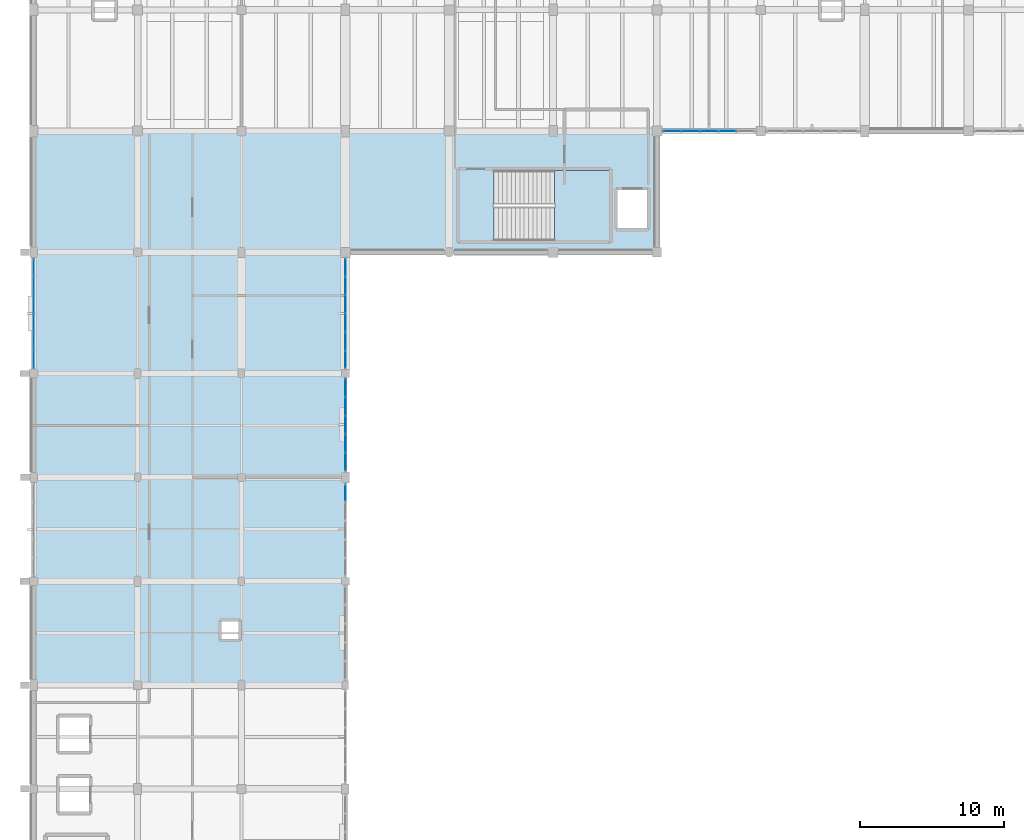
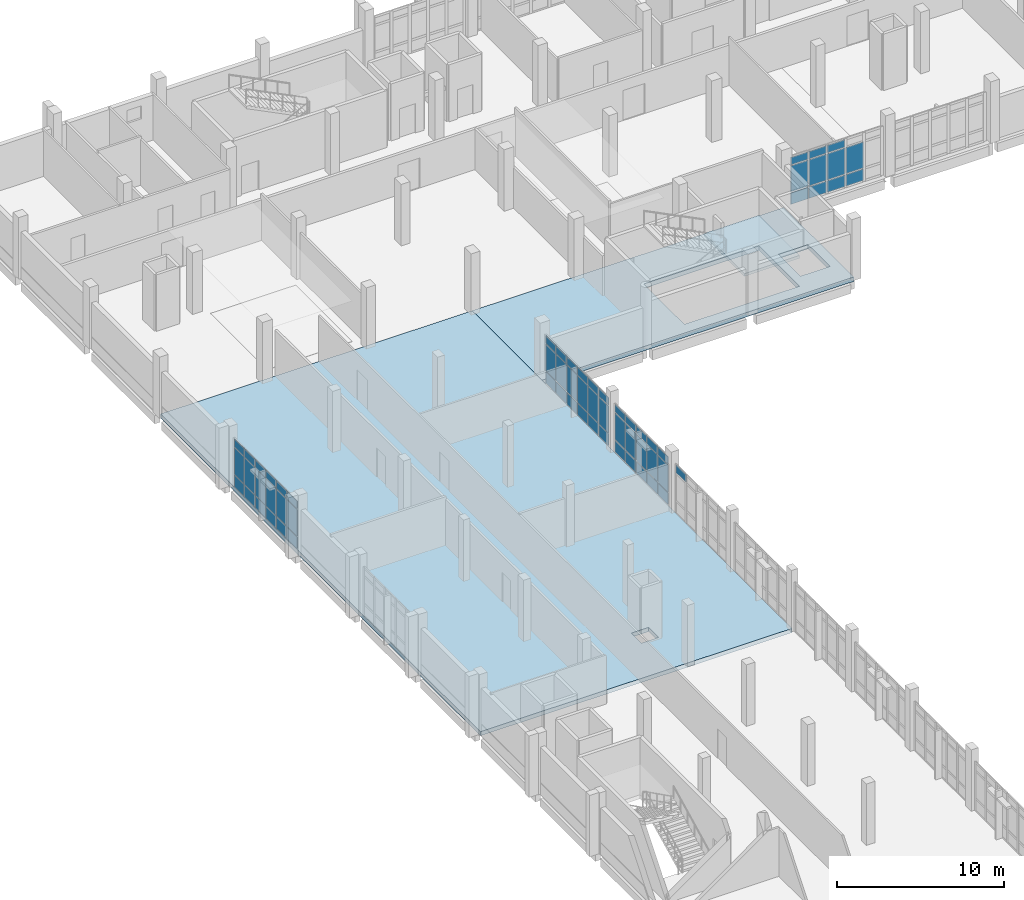
# One storey, part 42 of 57: 63 plates, 3 slabs, 6 elements without a shape of their own.
"""IFC4 building model written with IfcOpenShell, lengths in metres."""

from ifc_helpers import new_model, si_unit, direction, frame, origin, origin_2d, place, context, subcontext, project, spatial, polyline, rectangle, outline, extrude, material, layer, layer_set, type_object, element, aggregate, save


model = new_model("IFC4")

# Units and contexts
model_context = context("Model", 3, precision=1e-05, world=origin(), true_north=direction((0.0, 1.0)))
body_context = subcontext(model_context, "Body", "Model", "MODEL_VIEW")
ifc_project = project(units=[si_unit("LENGTHUNIT", "METRE"), si_unit("AREAUNIT", "SQUARE_METRE"), si_unit("VOLUMEUNIT", "CUBIC_METRE"), si_unit("PLANEANGLEUNIT", "RADIAN"), si_unit("MASSUNIT", "GRAM", prefix="KILO")], contexts=[model_context])

# Site, building, storey
site_placement = place(None, origin())
site = spatial("IfcSite", under=ifc_project, at=site_placement, CompositionType="ELEMENT")
building_placement = place(site_placement, origin())
building = spatial("IfcBuilding", under=site, at=building_placement, Name="Kalluvel Institute of Natural Sciences", CompositionType="ELEMENT")
storey_placement = place(building_placement, frame((0.0, 0.0, 23.39990234375)))
storey = spatial("IfcBuildingStorey", under=building, at=storey_placement, Name="L05", CompositionType="ELEMENT", Elevation=23.39990234375)

# Curtain wall, plates
ifc_material_1 = material(Name="Aluminium AW-6063 T6", Category="aluminium")
curtain_wall_type_1 = type_object("IfcCurtainWallType", Name="CW-DRY-45", PredefinedType="USERDEFINED", material=ifc_material_1)
curtain_wall_1_placement = place(storey_placement, origin())
curtain_wall_1 = element("IfcCurtainWall", 1, at=curtain_wall_1_placement, inside=storey, type_object=curtain_wall_type_1, Name="L05 Gothic lancet curtain wall CWA-L05-X140-Y864", ObjectType="UNITISED LANCET FACADE", PredefinedType="USERDEFINED")
ifc_material_2 = material(Name="Solar-Control Low-E Laminated Glass", Category="glass")
ifc_layer_1 = layer(ifc_material_2, 0.031982421875)
ifc_layer_set_1 = layer_set([ifc_layer_1], Name="Solar-Control Low-E Laminated Glass")
plate_type_1 = type_object("IfcPlateType", Name="CWP-DGU-32", PredefinedType="CURTAIN_PANEL", material=ifc_layer_set_1)
plate_1_placement = place(storey_placement, frame((14.0, 87.001708984375, 0.065185546875), z_axis=(0.0, 0.0, 1.0), x_axis=(0.0, 1.0, 0.0)))
plate_1 = element("IfcPlate", 2, at=plate_1_placement, type_object=plate_type_1, Name="CW-03 panel 1.1", PredefinedType="CURTAIN_PANEL", context=body_context, shape_type="SweptSolid", body=[
    extrude(rectangle(XDim=1.17333984375, YDim=0.031982421875, at=origin_2d()), origin(), (0.0, 0.0, 1.0), 0.8525390625),
])
plate_2_placement = place(storey_placement, frame((14.0, 87.001708984375, 0.982666015625), z_axis=(0.0, 0.0, 1.0), x_axis=(0.0, 1.0, 0.0)))
plate_2 = element("IfcPlate", 3, at=plate_2_placement, type_object=plate_type_1, Name="CW-03 panel 1.2", PredefinedType="CURTAIN_PANEL", context=body_context, shape_type="SweptSolid", body=[
    extrude(rectangle(XDim=1.17333984375, YDim=0.031982421875, at=origin_2d()), origin(), (0.0, 0.0, 1.0), 1.955078125),
])
plate_3_placement = place(storey_placement, frame((14.0, 87.001708984375, 3.00244140625), z_axis=(0.0, 0.0, 1.0), x_axis=(0.0, 1.0, 0.0)))
plate_3 = element("IfcPlate", 4, at=plate_3_placement, type_object=plate_type_1, Name="CW-03 panel 1.3", PredefinedType="CURTAIN_PANEL", context=body_context, shape_type="SweptSolid", body=[
    extrude(rectangle(XDim=1.17333984375, YDim=0.031982421875, at=origin_2d()), origin(), (0.0, 0.0, 1.0), 0.552490234375),
])
plate_4_placement = place(storey_placement, frame((14.0, 88.25634765625, 0.065185546875), z_axis=(0.0, 0.0, 1.0), x_axis=(0.0, 1.0, 0.0)))
plate_4 = element("IfcPlate", 5, at=plate_4_placement, type_object=plate_type_1, Name="CW-03 panel 2.1", PredefinedType="CURTAIN_PANEL", context=body_context, shape_type="SweptSolid", body=[
    extrude(rectangle(XDim=1.205810546875, YDim=0.031982421875, at=origin_2d()), origin(), (0.0, 0.0, 1.0), 0.8525390625),
])
plate_5_placement = place(storey_placement, frame((14.0, 88.25634765625, 0.982666015625), z_axis=(0.0, 0.0, 1.0), x_axis=(0.0, 1.0, 0.0)))
plate_5 = element("IfcPlate", 6, at=plate_5_placement, type_object=plate_type_1, Name="CW-03 panel 2.2", PredefinedType="CURTAIN_PANEL", context=body_context, shape_type="SweptSolid", body=[
    extrude(rectangle(XDim=1.205810546875, YDim=0.031982421875, at=origin_2d()), origin(), (0.0, 0.0, 1.0), 1.955078125),
])
plate_6_placement = place(storey_placement, frame((14.0, 88.25634765625, 3.00244140625), z_axis=(0.0, 0.0, 1.0), x_axis=(0.0, 1.0, 0.0)))
plate_6 = element("IfcPlate", 7, at=plate_6_placement, type_object=plate_type_1, Name="CW-03 panel 2.3", PredefinedType="CURTAIN_PANEL", context=body_context, shape_type="SweptSolid", body=[
    extrude(rectangle(XDim=1.205810546875, YDim=0.031982421875, at=origin_2d()), origin(), (0.0, 0.0, 1.0), 0.552490234375),
])
plate_7_placement = place(storey_placement, frame((14.0, 89.527099609375, 0.065185546875), z_axis=(0.0, 0.0, 1.0), x_axis=(0.0, 1.0, 0.0)))
plate_7 = element("IfcPlate", 8, at=plate_7_placement, type_object=plate_type_1, Name="CW-03 panel 3.1", PredefinedType="CURTAIN_PANEL", context=body_context, shape_type="SweptSolid", body=[
    extrude(rectangle(XDim=1.205810546875, YDim=0.031982421875, at=origin_2d()), origin(), (0.0, 0.0, 1.0), 0.8525390625),
])
plate_8_placement = place(storey_placement, frame((14.0, 89.527099609375, 0.982666015625), z_axis=(0.0, 0.0, 1.0), x_axis=(0.0, 1.0, 0.0)))
plate_8 = element("IfcPlate", 9, at=plate_8_placement, type_object=plate_type_1, Name="CW-03 panel 3.2", PredefinedType="CURTAIN_PANEL", context=body_context, shape_type="SweptSolid", body=[
    extrude(rectangle(XDim=1.205810546875, YDim=0.031982421875, at=origin_2d()), origin(), (0.0, 0.0, 1.0), 1.955078125),
])
plate_9_placement = place(storey_placement, frame((14.0, 89.527099609375, 3.00244140625), z_axis=(0.0, 0.0, 1.0), x_axis=(0.0, 1.0, 0.0)))
plate_9 = element("IfcPlate", 10, at=plate_9_placement, type_object=plate_type_1, Name="CW-03 panel 3.3", PredefinedType="CURTAIN_PANEL", context=body_context, shape_type="SweptSolid", body=[
    extrude(rectangle(XDim=1.205810546875, YDim=0.031982421875, at=origin_2d()), origin(), (0.0, 0.0, 1.0), 0.552490234375),
])
plate_10_placement = place(storey_placement, frame((14.0, 90.7978515625, 0.065185546875), z_axis=(0.0, 0.0, 1.0), x_axis=(0.0, 1.0, 0.0)))
plate_10 = element("IfcPlate", 11, at=plate_10_placement, type_object=plate_type_1, Name="CW-03 panel 4.1", PredefinedType="CURTAIN_PANEL", context=body_context, shape_type="SweptSolid", body=[
    extrude(rectangle(XDim=1.205810546875, YDim=0.031982421875, at=origin_2d()), origin(), (0.0, 0.0, 1.0), 0.8525390625),
])
plate_11_placement = place(storey_placement, frame((14.0, 90.7978515625, 0.982666015625), z_axis=(0.0, 0.0, 1.0), x_axis=(0.0, 1.0, 0.0)))
plate_11 = element("IfcPlate", 12, at=plate_11_placement, type_object=plate_type_1, Name="CW-03 panel 4.2", PredefinedType="CURTAIN_PANEL", context=body_context, shape_type="SweptSolid", body=[
    extrude(rectangle(XDim=1.205810546875, YDim=0.031982421875, at=origin_2d()), origin(), (0.0, 0.0, 1.0), 1.955078125),
])
plate_12_placement = place(storey_placement, frame((14.0, 90.7978515625, 3.00244140625), z_axis=(0.0, 0.0, 1.0), x_axis=(0.0, 1.0, 0.0)))
plate_12 = element("IfcPlate", 13, at=plate_12_placement, type_object=plate_type_1, Name="CW-03 panel 4.3", PredefinedType="CURTAIN_PANEL", context=body_context, shape_type="SweptSolid", body=[
    extrude(rectangle(XDim=1.205810546875, YDim=0.031982421875, at=origin_2d()), origin(), (0.0, 0.0, 1.0), 0.552490234375),
])
plate_13_placement = place(storey_placement, frame((14.0, 92.06884765625, 0.065185546875), z_axis=(0.0, 0.0, 1.0), x_axis=(0.0, 1.0, 0.0)))
plate_13 = element("IfcPlate", 14, at=plate_13_placement, type_object=plate_type_1, Name="CW-03 panel 5.1", PredefinedType="CURTAIN_PANEL", context=body_context, shape_type="SweptSolid", body=[
    extrude(rectangle(XDim=1.205810546875, YDim=0.031982421875, at=origin_2d()), origin(), (0.0, 0.0, 1.0), 0.8525390625),
])
plate_14_placement = place(storey_placement, frame((14.0, 92.06884765625, 0.982666015625), z_axis=(0.0, 0.0, 1.0), x_axis=(0.0, 1.0, 0.0)))
plate_14 = element("IfcPlate", 15, at=plate_14_placement, type_object=plate_type_1, Name="CW-03 panel 5.2", PredefinedType="CURTAIN_PANEL", context=body_context, shape_type="SweptSolid", body=[
    extrude(rectangle(XDim=1.205810546875, YDim=0.031982421875, at=origin_2d()), origin(), (0.0, 0.0, 1.0), 1.955078125),
])
plate_15_placement = place(storey_placement, frame((14.0, 92.06884765625, 3.00244140625), z_axis=(0.0, 0.0, 1.0), x_axis=(0.0, 1.0, 0.0)))
plate_15 = element("IfcPlate", 16, at=plate_15_placement, type_object=plate_type_1, Name="CW-03 panel 5.3", PredefinedType="CURTAIN_PANEL", context=body_context, shape_type="SweptSolid", body=[
    extrude(rectangle(XDim=1.205810546875, YDim=0.031982421875, at=origin_2d()), origin(), (0.0, 0.0, 1.0), 0.552490234375),
])
plate_16_placement = place(storey_placement, frame((14.0, 93.3232421875, 0.065185546875), z_axis=(0.0, 0.0, 1.0), x_axis=(0.0, 1.0, 0.0)))
plate_16 = element("IfcPlate", 17, at=plate_16_placement, type_object=plate_type_1, Name="CW-03 panel 6.1", PredefinedType="CURTAIN_PANEL", context=body_context, shape_type="SweptSolid", body=[
    extrude(rectangle(XDim=1.17333984375, YDim=0.031982421875, at=origin_2d()), origin(), (0.0, 0.0, 1.0), 0.8525390625),
])
plate_17_placement = place(storey_placement, frame((14.0, 93.3232421875, 0.982666015625), z_axis=(0.0, 0.0, 1.0), x_axis=(0.0, 1.0, 0.0)))
plate_17 = element("IfcPlate", 18, at=plate_17_placement, type_object=plate_type_1, Name="CW-03 panel 6.2", PredefinedType="CURTAIN_PANEL", context=body_context, shape_type="SweptSolid", body=[
    extrude(rectangle(XDim=1.17333984375, YDim=0.031982421875, at=origin_2d()), origin(), (0.0, 0.0, 1.0), 1.955078125),
])
plate_18_placement = place(storey_placement, frame((14.0, 93.3232421875, 3.00244140625), z_axis=(0.0, 0.0, 1.0), x_axis=(0.0, 1.0, 0.0)))
plate_18 = element("IfcPlate", 19, at=plate_18_placement, type_object=plate_type_1, Name="CW-03 panel 6.3", PredefinedType="CURTAIN_PANEL", context=body_context, shape_type="SweptSolid", body=[
    extrude(rectangle(XDim=1.17333984375, YDim=0.031982421875, at=origin_2d()), origin(), (0.0, 0.0, 1.0), 0.552490234375),
])
aggregate(curtain_wall_1, [plate_1, plate_2, plate_3, plate_4, plate_5, plate_6, plate_7, plate_8, plate_9, plate_10, plate_11, plate_12, plate_13, plate_14, plate_15, plate_16, plate_17, plate_18])

# Curtain wall, plate
curtain_wall_2_placement = place(storey_placement, origin())
curtain_wall_2 = element("IfcCurtainWall", 20, at=curtain_wall_2_placement, inside=storey, type_object=curtain_wall_type_1, Name="L05 Gothic lancet curtain wall CWA-L05-X356-Y719", ObjectType="UNITISED LANCET FACADE", PredefinedType="USERDEFINED")
plate_19_placement = place(storey_placement, frame((35.60009765625, 77.7138671875, 3.00244140625), z_axis=(0.0, 0.0, 1.0), x_axis=(0.0, 1.0, 0.0)))
plate_19 = element("IfcPlate", 21, at=plate_19_placement, type_object=plate_type_1, Name="CW-03 panel 5.3", PredefinedType="CURTAIN_PANEL", context=body_context, shape_type="SweptSolid", body=[
    extrude(rectangle(XDim=1.1923828125, YDim=0.031982421875, at=origin_2d()), origin(), (0.0, 0.0, 1.0), 0.552490234375),
])
aggregate(curtain_wall_2, [plate_19])

# Curtain wall, plates
curtain_wall_3_placement = place(storey_placement, origin())
curtain_wall_3 = element("IfcCurtainWall", 22, at=curtain_wall_3_placement, inside=storey, type_object=curtain_wall_type_1, Name="L05 Gothic lancet curtain wall CWA-L05-X356-Y792", ObjectType="UNITISED LANCET FACADE", PredefinedType="USERDEFINED")
plate_20_placement = place(storey_placement, frame((35.60009765625, 79.88623046875, 0.065185546875), z_axis=(0.0, 0.0, 1.0), x_axis=(0.0, 1.0, 0.0)))
plate_20 = element("IfcPlate", 23, at=plate_20_placement, type_object=plate_type_1, Name="CW-03 panel 1.1", PredefinedType="CURTAIN_PANEL", context=body_context, shape_type="SweptSolid", body=[
    extrude(rectangle(XDim=1.1923828125, YDim=0.031982421875, at=origin_2d()), origin(), (0.0, 0.0, 1.0), 0.8525390625),
])
plate_21_placement = place(storey_placement, frame((35.60009765625, 79.88623046875, 0.982666015625), z_axis=(0.0, 0.0, 1.0), x_axis=(0.0, 1.0, 0.0)))
plate_21 = element("IfcPlate", 24, at=plate_21_placement, type_object=plate_type_1, Name="CW-03 panel 1.2", PredefinedType="CURTAIN_PANEL", context=body_context, shape_type="SweptSolid", body=[
    extrude(rectangle(XDim=1.1923828125, YDim=0.031982421875, at=origin_2d()), origin(), (0.0, 0.0, 1.0), 1.955078125),
])
plate_22_placement = place(storey_placement, frame((35.60009765625, 79.88623046875, 3.00244140625), z_axis=(0.0, 0.0, 1.0), x_axis=(0.0, 1.0, 0.0)))
plate_22 = element("IfcPlate", 25, at=plate_22_placement, type_object=plate_type_1, Name="CW-03 panel 1.3", PredefinedType="CURTAIN_PANEL", context=body_context, shape_type="SweptSolid", body=[
    extrude(rectangle(XDim=1.1923828125, YDim=0.031982421875, at=origin_2d()), origin(), (0.0, 0.0, 1.0), 0.552490234375),
])
plate_23_placement = place(storey_placement, frame((35.60009765625, 81.159912109375, 0.065185546875), z_axis=(0.0, 0.0, 1.0), x_axis=(0.0, 1.0, 0.0)))
plate_23 = element("IfcPlate", 26, at=plate_23_placement, type_object=plate_type_1, Name="CW-03 panel 2.1", PredefinedType="CURTAIN_PANEL", context=body_context, shape_type="SweptSolid", body=[
    extrude(rectangle(XDim=1.22509765625, YDim=0.031982421875, at=origin_2d()), origin(), (0.0, 0.0, 1.0), 0.8525390625),
])
plate_24_placement = place(storey_placement, frame((35.60009765625, 81.159912109375, 0.982666015625), z_axis=(0.0, 0.0, 1.0), x_axis=(0.0, 1.0, 0.0)))
plate_24 = element("IfcPlate", 27, at=plate_24_placement, type_object=plate_type_1, Name="CW-03 panel 2.2", PredefinedType="CURTAIN_PANEL", context=body_context, shape_type="SweptSolid", body=[
    extrude(rectangle(XDim=1.22509765625, YDim=0.031982421875, at=origin_2d()), origin(), (0.0, 0.0, 1.0), 1.955078125),
])
plate_25_placement = place(storey_placement, frame((35.60009765625, 81.159912109375, 3.00244140625), z_axis=(0.0, 0.0, 1.0), x_axis=(0.0, 1.0, 0.0)))
plate_25 = element("IfcPlate", 28, at=plate_25_placement, type_object=plate_type_1, Name="CW-03 panel 2.3", PredefinedType="CURTAIN_PANEL", context=body_context, shape_type="SweptSolid", body=[
    extrude(rectangle(XDim=1.22509765625, YDim=0.031982421875, at=origin_2d()), origin(), (0.0, 0.0, 1.0), 0.552490234375),
])
plate_26_placement = place(storey_placement, frame((35.60009765625, 82.449951171875, 0.065185546875), z_axis=(0.0, 0.0, 1.0), x_axis=(0.0, 1.0, 0.0)))
plate_26 = element("IfcPlate", 29, at=plate_26_placement, type_object=plate_type_1, Name="CW-03 panel 3.1", PredefinedType="CURTAIN_PANEL", context=body_context, shape_type="SweptSolid", body=[
    extrude(rectangle(XDim=1.22509765625, YDim=0.031982421875, at=origin_2d()), origin(), (0.0, 0.0, 1.0), 0.8525390625),
])
plate_27_placement = place(storey_placement, frame((35.60009765625, 82.449951171875, 0.982666015625), z_axis=(0.0, 0.0, 1.0), x_axis=(0.0, 1.0, 0.0)))
plate_27 = element("IfcPlate", 30, at=plate_27_placement, type_object=plate_type_1, Name="CW-03 panel 3.2", PredefinedType="CURTAIN_PANEL", context=body_context, shape_type="SweptSolid", body=[
    extrude(rectangle(XDim=1.22509765625, YDim=0.031982421875, at=origin_2d()), origin(), (0.0, 0.0, 1.0), 1.955078125),
])
plate_28_placement = place(storey_placement, frame((35.60009765625, 82.449951171875, 3.00244140625), z_axis=(0.0, 0.0, 1.0), x_axis=(0.0, 1.0, 0.0)))
plate_28 = element("IfcPlate", 31, at=plate_28_placement, type_object=plate_type_1, Name="CW-03 panel 3.3", PredefinedType="CURTAIN_PANEL", context=body_context, shape_type="SweptSolid", body=[
    extrude(rectangle(XDim=1.22509765625, YDim=0.031982421875, at=origin_2d()), origin(), (0.0, 0.0, 1.0), 0.552490234375),
])
plate_29_placement = place(storey_placement, frame((35.60009765625, 83.739990234375, 0.065185546875), z_axis=(0.0, 0.0, 1.0), x_axis=(0.0, 1.0, 0.0)))
plate_29 = element("IfcPlate", 32, at=plate_29_placement, type_object=plate_type_1, Name="CW-03 panel 4.1", PredefinedType="CURTAIN_PANEL", context=body_context, shape_type="SweptSolid", body=[
    extrude(rectangle(XDim=1.22509765625, YDim=0.031982421875, at=origin_2d()), origin(), (0.0, 0.0, 1.0), 0.8525390625),
])
plate_30_placement = place(storey_placement, frame((35.60009765625, 83.739990234375, 0.982666015625), z_axis=(0.0, 0.0, 1.0), x_axis=(0.0, 1.0, 0.0)))
plate_30 = element("IfcPlate", 33, at=plate_30_placement, type_object=plate_type_1, Name="CW-03 panel 4.2", PredefinedType="CURTAIN_PANEL", context=body_context, shape_type="SweptSolid", body=[
    extrude(rectangle(XDim=1.22509765625, YDim=0.031982421875, at=origin_2d()), origin(), (0.0, 0.0, 1.0), 1.955078125),
])
plate_31_placement = place(storey_placement, frame((35.60009765625, 83.739990234375, 3.00244140625), z_axis=(0.0, 0.0, 1.0), x_axis=(0.0, 1.0, 0.0)))
plate_31 = element("IfcPlate", 34, at=plate_31_placement, type_object=plate_type_1, Name="CW-03 panel 4.3", PredefinedType="CURTAIN_PANEL", context=body_context, shape_type="SweptSolid", body=[
    extrude(rectangle(XDim=1.22509765625, YDim=0.031982421875, at=origin_2d()), origin(), (0.0, 0.0, 1.0), 0.552490234375),
])
plate_32_placement = place(storey_placement, frame((35.60009765625, 85.013671875, 0.065185546875), z_axis=(0.0, 0.0, 1.0), x_axis=(0.0, 1.0, 0.0)))
plate_32 = element("IfcPlate", 35, at=plate_32_placement, type_object=plate_type_1, Name="CW-03 panel 5.1", PredefinedType="CURTAIN_PANEL", context=body_context, shape_type="SweptSolid", body=[
    extrude(rectangle(XDim=1.1923828125, YDim=0.031982421875, at=origin_2d()), origin(), (0.0, 0.0, 1.0), 0.8525390625),
])
plate_33_placement = place(storey_placement, frame((35.60009765625, 85.013671875, 0.982666015625), z_axis=(0.0, 0.0, 1.0), x_axis=(0.0, 1.0, 0.0)))
plate_33 = element("IfcPlate", 36, at=plate_33_placement, type_object=plate_type_1, Name="CW-03 panel 5.2", PredefinedType="CURTAIN_PANEL", context=body_context, shape_type="SweptSolid", body=[
    extrude(rectangle(XDim=1.1923828125, YDim=0.031982421875, at=origin_2d()), origin(), (0.0, 0.0, 1.0), 1.955078125),
])
plate_34_placement = place(storey_placement, frame((35.60009765625, 85.013671875, 3.00244140625), z_axis=(0.0, 0.0, 1.0), x_axis=(0.0, 1.0, 0.0)))
plate_34 = element("IfcPlate", 37, at=plate_34_placement, type_object=plate_type_1, Name="CW-03 panel 5.3", PredefinedType="CURTAIN_PANEL", context=body_context, shape_type="SweptSolid", body=[
    extrude(rectangle(XDim=1.1923828125, YDim=0.031982421875, at=origin_2d()), origin(), (0.0, 0.0, 1.0), 0.552490234375),
])
aggregate(curtain_wall_3, [plate_20, plate_21, plate_22, plate_23, plate_24, plate_25, plate_26, plate_27, plate_28, plate_29, plate_30, plate_31, plate_32, plate_33, plate_34])

curtain_wall_4_placement = place(storey_placement, origin())
curtain_wall_4 = element("IfcCurtainWall", 38, at=curtain_wall_4_placement, inside=storey, type_object=curtain_wall_type_1, Name="L05 Gothic lancet curtain wall CWA-L05-X356-Y863", ObjectType="UNITISED LANCET FACADE", PredefinedType="USERDEFINED")
plate_35_placement = place(storey_placement, frame((35.60009765625, 86.980712890625, 0.065185546875), z_axis=(0.0, 0.0, 1.0), x_axis=(0.0, 1.0, 0.0)))
plate_35 = element("IfcPlate", 39, at=plate_35_placement, type_object=plate_type_1, Name="CW-03 panel 1.1", PredefinedType="CURTAIN_PANEL", context=body_context, shape_type="SweptSolid", body=[
    extrude(rectangle(XDim=1.181640625, YDim=0.031982421875, at=origin_2d()), origin(), (0.0, 0.0, 1.0), 0.8525390625),
])
plate_36_placement = place(storey_placement, frame((35.60009765625, 86.980712890625, 0.982666015625), z_axis=(0.0, 0.0, 1.0), x_axis=(0.0, 1.0, 0.0)))
plate_36 = element("IfcPlate", 40, at=plate_36_placement, type_object=plate_type_1, Name="CW-03 panel 1.2", PredefinedType="CURTAIN_PANEL", context=body_context, shape_type="SweptSolid", body=[
    extrude(rectangle(XDim=1.181640625, YDim=0.031982421875, at=origin_2d()), origin(), (0.0, 0.0, 1.0), 1.955078125),
])
plate_37_placement = place(storey_placement, frame((35.60009765625, 86.980712890625, 3.00244140625), z_axis=(0.0, 0.0, 1.0), x_axis=(0.0, 1.0, 0.0)))
plate_37 = element("IfcPlate", 41, at=plate_37_placement, type_object=plate_type_1, Name="CW-03 panel 1.3", PredefinedType="CURTAIN_PANEL", context=body_context, shape_type="SweptSolid", body=[
    extrude(rectangle(XDim=1.181640625, YDim=0.031982421875, at=origin_2d()), origin(), (0.0, 0.0, 1.0), 0.552490234375),
])
plate_38_placement = place(storey_placement, frame((35.60009765625, 88.24365234375, 0.065185546875), z_axis=(0.0, 0.0, 1.0), x_axis=(0.0, 1.0, 0.0)))
plate_38 = element("IfcPlate", 42, at=plate_38_placement, type_object=plate_type_1, Name="CW-03 panel 2.1", PredefinedType="CURTAIN_PANEL", context=body_context, shape_type="SweptSolid", body=[
    extrude(rectangle(XDim=1.214111328125, YDim=0.031982421875, at=origin_2d()), origin(), (0.0, 0.0, 1.0), 0.8525390625),
])
plate_39_placement = place(storey_placement, frame((35.60009765625, 88.24365234375, 0.982666015625), z_axis=(0.0, 0.0, 1.0), x_axis=(0.0, 1.0, 0.0)))
plate_39 = element("IfcPlate", 43, at=plate_39_placement, type_object=plate_type_1, Name="CW-03 panel 2.2", PredefinedType="CURTAIN_PANEL", context=body_context, shape_type="SweptSolid", body=[
    extrude(rectangle(XDim=1.214111328125, YDim=0.031982421875, at=origin_2d()), origin(), (0.0, 0.0, 1.0), 1.955078125),
])
plate_40_placement = place(storey_placement, frame((35.60009765625, 88.24365234375, 3.00244140625), z_axis=(0.0, 0.0, 1.0), x_axis=(0.0, 1.0, 0.0)))
plate_40 = element("IfcPlate", 44, at=plate_40_placement, type_object=plate_type_1, Name="CW-03 panel 2.3", PredefinedType="CURTAIN_PANEL", context=body_context, shape_type="SweptSolid", body=[
    extrude(rectangle(XDim=1.214111328125, YDim=0.031982421875, at=origin_2d()), origin(), (0.0, 0.0, 1.0), 0.552490234375),
])
plate_41_placement = place(storey_placement, frame((35.60009765625, 89.52294921875, 0.065185546875), z_axis=(0.0, 0.0, 1.0), x_axis=(0.0, 1.0, 0.0)))
plate_41 = element("IfcPlate", 45, at=plate_41_placement, type_object=plate_type_1, Name="CW-03 panel 3.1", PredefinedType="CURTAIN_PANEL", context=body_context, shape_type="SweptSolid", body=[
    extrude(rectangle(XDim=1.214111328125, YDim=0.031982421875, at=origin_2d()), origin(), (0.0, 0.0, 1.0), 0.8525390625),
])
plate_42_placement = place(storey_placement, frame((35.60009765625, 89.52294921875, 0.982666015625), z_axis=(0.0, 0.0, 1.0), x_axis=(0.0, 1.0, 0.0)))
plate_42 = element("IfcPlate", 46, at=plate_42_placement, type_object=plate_type_1, Name="CW-03 panel 3.2", PredefinedType="CURTAIN_PANEL", context=body_context, shape_type="SweptSolid", body=[
    extrude(rectangle(XDim=1.214111328125, YDim=0.031982421875, at=origin_2d()), origin(), (0.0, 0.0, 1.0), 1.955078125),
])
plate_43_placement = place(storey_placement, frame((35.60009765625, 89.52294921875, 3.00244140625), z_axis=(0.0, 0.0, 1.0), x_axis=(0.0, 1.0, 0.0)))
plate_43 = element("IfcPlate", 47, at=plate_43_placement, type_object=plate_type_1, Name="CW-03 panel 3.3", PredefinedType="CURTAIN_PANEL", context=body_context, shape_type="SweptSolid", body=[
    extrude(rectangle(XDim=1.214111328125, YDim=0.031982421875, at=origin_2d()), origin(), (0.0, 0.0, 1.0), 0.552490234375),
])
plate_44_placement = place(storey_placement, frame((35.60009765625, 90.802001953125, 0.065185546875), z_axis=(0.0, 0.0, 1.0), x_axis=(0.0, 1.0, 0.0)))
plate_44 = element("IfcPlate", 48, at=plate_44_placement, type_object=plate_type_1, Name="CW-03 panel 4.1", PredefinedType="CURTAIN_PANEL", context=body_context, shape_type="SweptSolid", body=[
    extrude(rectangle(XDim=1.214111328125, YDim=0.031982421875, at=origin_2d()), origin(), (0.0, 0.0, 1.0), 0.8525390625),
])
plate_45_placement = place(storey_placement, frame((35.60009765625, 90.802001953125, 0.982666015625), z_axis=(0.0, 0.0, 1.0), x_axis=(0.0, 1.0, 0.0)))
plate_45 = element("IfcPlate", 49, at=plate_45_placement, type_object=plate_type_1, Name="CW-03 panel 4.2", PredefinedType="CURTAIN_PANEL", context=body_context, shape_type="SweptSolid", body=[
    extrude(rectangle(XDim=1.214111328125, YDim=0.031982421875, at=origin_2d()), origin(), (0.0, 0.0, 1.0), 1.955078125),
])
plate_46_placement = place(storey_placement, frame((35.60009765625, 90.802001953125, 3.00244140625), z_axis=(0.0, 0.0, 1.0), x_axis=(0.0, 1.0, 0.0)))
plate_46 = element("IfcPlate", 50, at=plate_46_placement, type_object=plate_type_1, Name="CW-03 panel 4.3", PredefinedType="CURTAIN_PANEL", context=body_context, shape_type="SweptSolid", body=[
    extrude(rectangle(XDim=1.214111328125, YDim=0.031982421875, at=origin_2d()), origin(), (0.0, 0.0, 1.0), 0.552490234375),
])
plate_47_placement = place(storey_placement, frame((35.60009765625, 92.081298828125, 0.065185546875), z_axis=(0.0, 0.0, 1.0), x_axis=(0.0, 1.0, 0.0)))
plate_47 = element("IfcPlate", 51, at=plate_47_placement, type_object=plate_type_1, Name="CW-03 panel 5.1", PredefinedType="CURTAIN_PANEL", context=body_context, shape_type="SweptSolid", body=[
    extrude(rectangle(XDim=1.214111328125, YDim=0.031982421875, at=origin_2d()), origin(), (0.0, 0.0, 1.0), 0.8525390625),
])
plate_48_placement = place(storey_placement, frame((35.60009765625, 92.081298828125, 0.982666015625), z_axis=(0.0, 0.0, 1.0), x_axis=(0.0, 1.0, 0.0)))
plate_48 = element("IfcPlate", 52, at=plate_48_placement, type_object=plate_type_1, Name="CW-03 panel 5.2", PredefinedType="CURTAIN_PANEL", context=body_context, shape_type="SweptSolid", body=[
    extrude(rectangle(XDim=1.214111328125, YDim=0.031982421875, at=origin_2d()), origin(), (0.0, 0.0, 1.0), 1.955078125),
])
plate_49_placement = place(storey_placement, frame((35.60009765625, 92.081298828125, 3.00244140625), z_axis=(0.0, 0.0, 1.0), x_axis=(0.0, 1.0, 0.0)))
plate_49 = element("IfcPlate", 53, at=plate_49_placement, type_object=plate_type_1, Name="CW-03 panel 5.3", PredefinedType="CURTAIN_PANEL", context=body_context, shape_type="SweptSolid", body=[
    extrude(rectangle(XDim=1.214111328125, YDim=0.031982421875, at=origin_2d()), origin(), (0.0, 0.0, 1.0), 0.552490234375),
])
plate_50_placement = place(storey_placement, frame((35.60009765625, 93.34423828125, 0.065185546875), z_axis=(0.0, 0.0, 1.0), x_axis=(0.0, 1.0, 0.0)))
plate_50 = element("IfcPlate", 54, at=plate_50_placement, type_object=plate_type_1, Name="CW-03 panel 6.1", PredefinedType="CURTAIN_PANEL", context=body_context, shape_type="SweptSolid", body=[
    extrude(rectangle(XDim=1.181640625, YDim=0.031982421875, at=origin_2d()), origin(), (0.0, 0.0, 1.0), 0.8525390625),
])
plate_51_placement = place(storey_placement, frame((35.60009765625, 93.34423828125, 0.982666015625), z_axis=(0.0, 0.0, 1.0), x_axis=(0.0, 1.0, 0.0)))
plate_51 = element("IfcPlate", 55, at=plate_51_placement, type_object=plate_type_1, Name="CW-03 panel 6.2", PredefinedType="CURTAIN_PANEL", context=body_context, shape_type="SweptSolid", body=[
    extrude(rectangle(XDim=1.181640625, YDim=0.031982421875, at=origin_2d()), origin(), (0.0, 0.0, 1.0), 1.955078125),
])
plate_52_placement = place(storey_placement, frame((35.60009765625, 93.34423828125, 3.00244140625), z_axis=(0.0, 0.0, 1.0), x_axis=(0.0, 1.0, 0.0)))
plate_52 = element("IfcPlate", 56, at=plate_52_placement, type_object=plate_type_1, Name="CW-03 panel 6.3", PredefinedType="CURTAIN_PANEL", context=body_context, shape_type="SweptSolid", body=[
    extrude(rectangle(XDim=1.181640625, YDim=0.031982421875, at=origin_2d()), origin(), (0.0, 0.0, 1.0), 0.552490234375),
])
aggregate(curtain_wall_4, [plate_35, plate_36, plate_37, plate_38, plate_39, plate_40, plate_41, plate_42, plate_43, plate_44, plate_45, plate_46, plate_47, plate_48, plate_49, plate_50, plate_51, plate_52])

curtain_wall_type_2 = type_object("IfcCurtainWallType", Name="CW-WET-45", PredefinedType="USERDEFINED", material=ifc_material_1)
curtain_wall_5_placement = place(storey_placement, origin())
curtain_wall_5 = element("IfcCurtainWall", 57, at=curtain_wall_5_placement, inside=storey, type_object=curtain_wall_type_2, Name="L05 Gothic lancet curtain wall CWA-L05-X576-Y1028", ObjectType="UNITISED LANCET FACADE", PredefinedType="USERDEFINED")
ifc_layer_2 = layer(ifc_material_2, 0.0400390625)
ifc_layer_set_2 = layer_set([ifc_layer_2], Name="Solar-Control Low-E Laminated Glass")
plate_type_2 = type_object("IfcPlateType", Name="CWP-SPN-40", PredefinedType="CURTAIN_PANEL", material=ifc_layer_set_2)
plate_53_placement = place(storey_placement, frame((58.260009765625, 102.800048828125, 0.0703125), z_axis=(0.0, 0.0, 1.0), x_axis=(1.0, 0.0, 0.0)))
plate_53 = element("IfcPlate", 58, at=plate_53_placement, type_object=plate_type_2, Name="CW-01 panel 1.1", PredefinedType="CURTAIN_PANEL", context=body_context, shape_type="SweptSolid", body=[
    extrude(rectangle(XDim=1.179931640625, YDim=0.0400390625, at=origin_2d()), origin(), (0.0, 0.0, 1.0), 0.844970703125),
])
plate_54_placement = place(storey_placement, frame((58.260009765625, 102.800048828125, 0.9853515625), z_axis=(0.0, 0.0, 1.0), x_axis=(1.0, 0.0, 0.0)))
plate_54 = element("IfcPlate", 59, at=plate_54_placement, type_object=plate_type_2, Name="CW-01 panel 1.2", PredefinedType="CURTAIN_PANEL", context=body_context, shape_type="SweptSolid", body=[
    extrude(rectangle(XDim=1.179931640625, YDim=0.0400390625, at=origin_2d()), origin(), (0.0, 0.0, 1.0), 1.909912109375),
])
plate_55_placement = place(storey_placement, frame((58.260009765625, 102.800048828125, 2.965087890625), z_axis=(0.0, 0.0, 1.0), x_axis=(1.0, 0.0, 0.0)))
plate_55 = element("IfcPlate", 60, at=plate_55_placement, type_object=plate_type_2, Name="CW-01 panel 1.3", PredefinedType="CURTAIN_PANEL", context=body_context, shape_type="SweptSolid", body=[
    extrude(rectangle(XDim=1.179931640625, YDim=0.0400390625, at=origin_2d()), origin(), (0.0, 0.0, 1.0), 0.544921875),
])
plate_56_placement = place(storey_placement, frame((59.527587890625, 102.800048828125, 0.0703125), z_axis=(0.0, 0.0, 1.0), x_axis=(1.0, 0.0, 0.0)))
plate_56 = element("IfcPlate", 61, at=plate_56_placement, type_object=plate_type_2, Name="CW-01 panel 2.1", PredefinedType="CURTAIN_PANEL", context=body_context, shape_type="SweptSolid", body=[
    extrude(rectangle(XDim=1.215087890625, YDim=0.0400390625, at=origin_2d()), origin(), (0.0, 0.0, 1.0), 0.844970703125),
])
plate_57_placement = place(storey_placement, frame((59.527587890625, 102.800048828125, 0.9853515625), z_axis=(0.0, 0.0, 1.0), x_axis=(1.0, 0.0, 0.0)))
plate_57 = element("IfcPlate", 62, at=plate_57_placement, type_object=plate_type_2, Name="CW-01 panel 2.2", PredefinedType="CURTAIN_PANEL", context=body_context, shape_type="SweptSolid", body=[
    extrude(rectangle(XDim=1.215087890625, YDim=0.0400390625, at=origin_2d()), origin(), (0.0, 0.0, 1.0), 1.909912109375),
])
plate_58_placement = place(storey_placement, frame((59.527587890625, 102.800048828125, 2.965087890625), z_axis=(0.0, 0.0, 1.0), x_axis=(1.0, 0.0, 0.0)))
plate_58 = element("IfcPlate", 63, at=plate_58_placement, type_object=plate_type_2, Name="CW-01 panel 2.3", PredefinedType="CURTAIN_PANEL", context=body_context, shape_type="SweptSolid", body=[
    extrude(rectangle(XDim=1.215087890625, YDim=0.0400390625, at=origin_2d()), origin(), (0.0, 0.0, 1.0), 0.544921875),
])
plate_59_placement = place(storey_placement, frame((60.8125, 102.800048828125, 0.0703125), z_axis=(0.0, 0.0, 1.0), x_axis=(1.0, 0.0, 0.0)))
plate_59 = element("IfcPlate", 64, at=plate_59_placement, type_object=plate_type_2, Name="CW-01 panel 3.1", PredefinedType="CURTAIN_PANEL", context=body_context, shape_type="SweptSolid", body=[
    extrude(rectangle(XDim=1.215087890625, YDim=0.0400390625, at=origin_2d()), origin(), (0.0, 0.0, 1.0), 0.844970703125),
])
plate_60_placement = place(storey_placement, frame((60.8125, 102.800048828125, 0.9853515625), z_axis=(0.0, 0.0, 1.0), x_axis=(1.0, 0.0, 0.0)))
plate_60 = element("IfcPlate", 65, at=plate_60_placement, type_object=plate_type_2, Name="CW-01 panel 3.2", PredefinedType="CURTAIN_PANEL", context=body_context, shape_type="SweptSolid", body=[
    extrude(rectangle(XDim=1.215087890625, YDim=0.0400390625, at=origin_2d()), origin(), (0.0, 0.0, 1.0), 1.909912109375),
])
plate_61_placement = place(storey_placement, frame((60.8125, 102.800048828125, 2.965087890625), z_axis=(0.0, 0.0, 1.0), x_axis=(1.0, 0.0, 0.0)))
plate_61 = element("IfcPlate", 66, at=plate_61_placement, type_object=plate_type_2, Name="CW-01 panel 3.3", PredefinedType="CURTAIN_PANEL", context=body_context, shape_type="SweptSolid", body=[
    extrude(rectangle(XDim=1.215087890625, YDim=0.0400390625, at=origin_2d()), origin(), (0.0, 0.0, 1.0), 0.544921875),
])
plate_62_placement = place(storey_placement, frame((62.097412109375, 102.800048828125, 0.0703125), z_axis=(0.0, 0.0, 1.0), x_axis=(1.0, 0.0, 0.0)))
plate_62 = element("IfcPlate", 67, at=plate_62_placement, type_object=plate_type_2, Name="CW-01 panel 4.1", PredefinedType="CURTAIN_PANEL", context=body_context, shape_type="SweptSolid", body=[
    extrude(rectangle(XDim=1.215087890625, YDim=0.0400390625, at=origin_2d()), origin(), (0.0, 0.0, 1.0), 0.844970703125),
])
plate_63_placement = place(storey_placement, frame((62.097412109375, 102.800048828125, 0.9853515625), z_axis=(0.0, 0.0, 1.0), x_axis=(1.0, 0.0, 0.0)))
plate_63 = element("IfcPlate", 68, at=plate_63_placement, type_object=plate_type_2, Name="CW-01 panel 4.2", PredefinedType="CURTAIN_PANEL", context=body_context, shape_type="SweptSolid", body=[
    extrude(rectangle(XDim=1.215087890625, YDim=0.0400390625, at=origin_2d()), origin(), (0.0, 0.0, 1.0), 1.909912109375),
])
aggregate(curtain_wall_5, [plate_53, plate_54, plate_55, plate_56, plate_57, plate_58, plate_59, plate_60, plate_61, plate_62, plate_63])

# Slabs
ifc_material_3 = material(Name="Concrete M40", Category="concrete")
ifc_layer_3 = layer(ifc_material_3, 0.300048828125)
ifc_layer_set_3 = layer_set([ifc_layer_3], Name="Concrete M40")
slab_type_1 = type_object("IfcSlabType", Name="SLB-DRY-300", PredefinedType="FLOOR", material=ifc_layer_set_3)
slab_1_placement = place(storey_placement, frame((0.0, 0.0, -0.2998046875)))
element("IfcSlab", 69, at=slab_1_placement, inside=storey, type_object=slab_type_1, Name="L05 Dry Laboratory Floor Slab N", PredefinedType="FLOOR", context=body_context, shape_type="SweptSolid", body=[
    extrude(outline(polyline([(14.0, 64.39990234375), (35.60009765625, 64.39990234375), (35.60009765625, 102.800048828125), (14.0, 102.800048828125), (14.0, 64.39990234375)]), holes=[polyline([(27.0, 67.60009765625), (27.0, 68.800048828125), (28.199951171875, 68.800048828125), (28.199951171875, 67.60009765625), (27.0, 67.60009765625)])]), origin(), (0.0, 0.0, 1.0), 0.2998046875),
])
ifc_layer_4 = layer(ifc_material_3, 0.320068359375)
ifc_layer_set_4 = layer_set([ifc_layer_4], Name="Concrete M40")
slab_type_2 = type_object("IfcSlabType", Name="SLB-WET-320", PredefinedType="FLOOR", material=ifc_layer_set_4)
slab_2_placement = place(storey_placement, frame((0.0, 0.0, -0.31982421875)))
element("IfcSlab", 70, at=slab_2_placement, inside=storey, type_object=slab_type_2, Name="L05 Fire-Tower Knuckle Lobby Slab", PredefinedType="FLOOR", context=body_context, shape_type="SweptSolid", body=[
    extrude(outline(polyline([(35.60009765625, 94.39990234375), (57.199951171875, 94.39990234375), (57.199951171875, 102.800048828125), (35.60009765625, 102.800048828125), (35.60009765625, 94.39990234375)]), holes=[polyline([(54.47998046875, 98.719970703125), (56.52001953125, 98.719970703125), (56.52001953125, 96.080078125), (54.47998046875, 96.080078125), (54.47998046875, 98.719970703125)]), polyline([(45.91796875, 100.070068359375), (53.89990234375, 100.070068359375), (53.89990234375, 95.199951171875), (45.91796875, 95.199951171875), (45.91796875, 100.070068359375)])]), origin(), (0.0, 0.0, 1.0), 0.31982421875),
])

# Stair, slab
stair_type = type_object("IfcStairType", Name="STR-ST3-45", PredefinedType="HALF_TURN_STAIR", material=ifc_material_3)
stair_placement = place(storey_placement, origin())
stair = element("IfcStair", 71, at=stair_placement, inside=storey, type_object=stair_type, Name="L05 Central Fire-Tower Protected Stair ST3", PredefinedType="HALF_TURN_STAIR")
ifc_layer_5 = layer(ifc_material_3, 0.199951171875)
ifc_layer_set_5 = layer_set([ifc_layer_5], Name="Concrete M40")
slab_type_3 = type_object("IfcSlabType", Name="SLD-ST3", PredefinedType="LANDING", material=ifc_layer_set_5)
slab_3_placement = place(storey_placement, frame((0.0, 0.0, 2.050048828125)))
slab_3 = element("IfcSlab", 72, at=slab_3_placement, type_object=slab_type_3, Name="S3-45 landing 1", PredefinedType="LANDING", context=body_context, shape_type="SweptSolid", body=[
    extrude(outline(polyline([(50.08203125, 95.199951171875), (53.89990234375, 95.199951171875), (53.89990234375, 100.070068359375), (50.08203125, 100.070068359375), (50.08203125, 95.199951171875)])), origin(), (0.0, 0.0, 1.0), 0.199951171875),
])
aggregate(stair, [slab_3])

save(model, "model.ifc")
